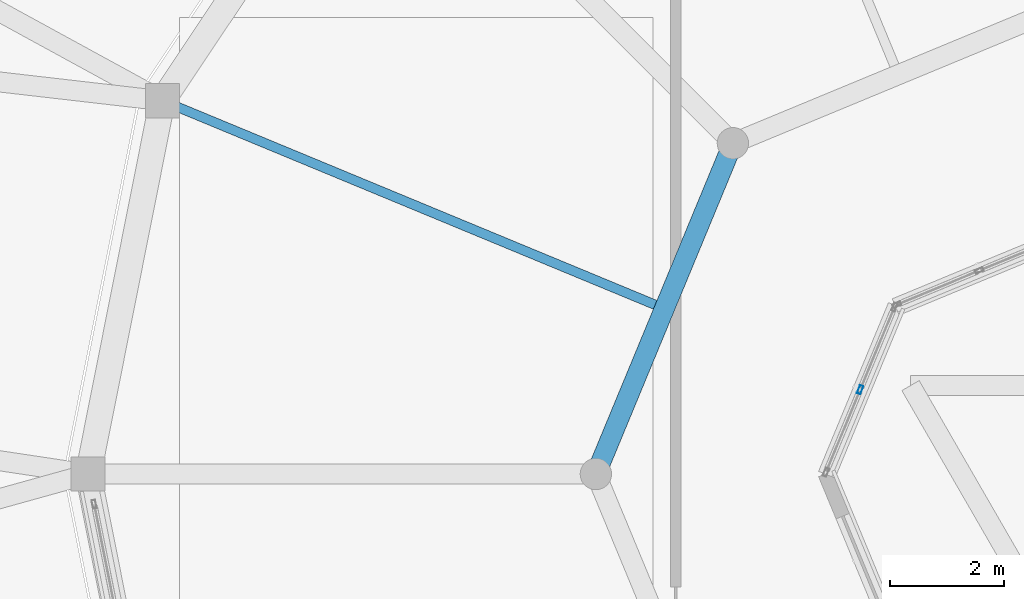
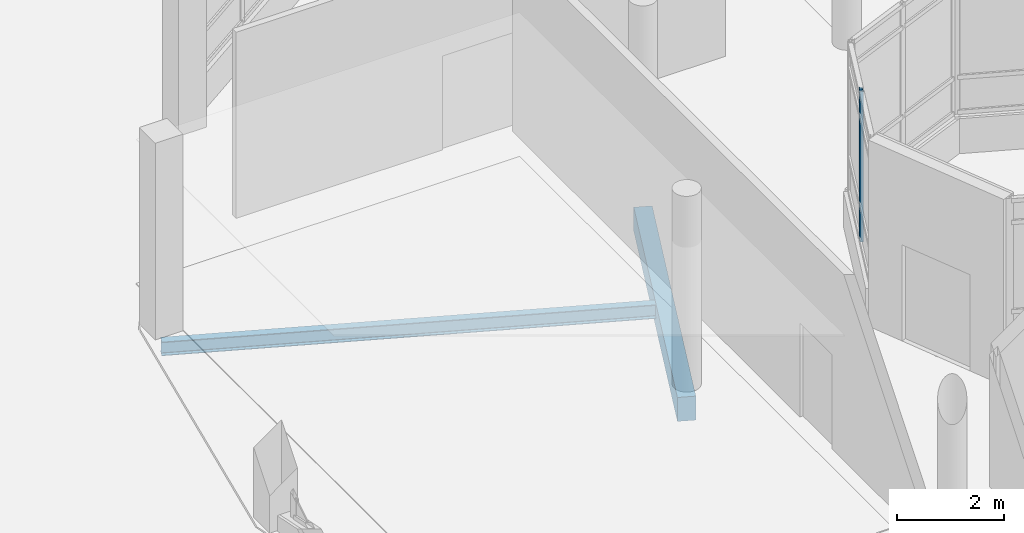
# One storey, part 70 of 129: 2 beams, 1 member, 1 element without a shape of its own.
"""IFC4 building model written with IfcOpenShell, lengths in metres."""

import ifcopenshell
import ifcopenshell.guid

model = None  # the IFC model being written
_history = None  # IfcOwnerHistory: only IFC2X3 demands one
_inside = {}  # id of a spatial element -> (the spatial element, [elements in it])
_under = {}  # id of a project, library or spatial element -> (it, [spatial elements below it])
_declared = {}  # id of a project -> (the project, [libraries it declares])
_typed = {}  # id of a type object -> (the type object, [elements of that type])
_made_of = {}  # id of a material, layer set ... -> (it, [elements and type objects made of it])


def new_model(schema):
    """Start an empty IFC model of exactly this schema.

    Asked for "IFC4X3", IfcOpenShell would pick the latest addendum, in which some entities
    have other attributes; the version numbers below select the first issue.
    IFC2X3 requires an IfcOwnerHistory on every rooted entity: one is made here for all.
    """
    global model, _history
    if schema == "IFC4X3":
        model = ifcopenshell.file(schema_version=(4, 3, 0, 0))
    else:
        model = ifcopenshell.file(schema=schema)
    _inside.clear()
    _under.clear()
    _declared.clear()
    _typed.clear()
    _made_of.clear()
    _history = None
    if model.schema == "IFC2X3":
        org = make("IfcOrganization", Name="unknown")
        user = make(
            "IfcPersonAndOrganization",
            ThePerson=make("IfcPerson", FamilyName="unknown"),
            TheOrganization=org,
        )
        app = make(
            "IfcApplication",
            ApplicationDeveloper=org,
            Version="unknown",
            ApplicationFullName="unknown",
            ApplicationIdentifier="unknown",
        )
        _history = make(
            "IfcOwnerHistory",
            OwningUser=user,
            OwningApplication=app,
            ChangeAction="ADDED",
            CreationDate=0,
        )
    return model


def make(cls, **values):
    """One entity of the class cls with the attributes given. An attribute that is None is left unset."""
    return model.create_entity(
        cls, **{name: value for name, value in values.items() if value is not None}
    )


def rooted(cls, **values):
    """An entity with a GlobalId (a new one), such as an element, a storey or a relation."""
    return make(cls, GlobalId=ifcopenshell.guid.new(), OwnerHistory=_history, **values)


def si_unit(unit_type, name, prefix=None):
    """IfcSIUnit, for example si_unit("LENGTHUNIT", "METRE", prefix="MILLI")."""
    return make("IfcSIUnit", UnitType=unit_type, Prefix=prefix, Name=name)


def assignment(units):
    """IfcUnitAssignment: the units of a project."""
    return None if units is None else make("IfcUnitAssignment", Units=units)


def point(xyz):
    """IfcCartesianPoint."""
    return None if xyz is None else make("IfcCartesianPoint", Coordinates=xyz)


def direction(xyz):
    """IfcDirection."""
    return None if xyz is None else make("IfcDirection", DirectionRatios=xyz)


def frame(location, z_axis=None, x_axis=None):
    """IfcAxis2Placement3D, a coordinate frame: its origin and axes. An axis left out is left unset."""
    return make(
        "IfcAxis2Placement3D",
        Location=point(location),
        Axis=direction(z_axis),
        RefDirection=direction(x_axis),
    )


def frame_2d(location, x_axis=None):
    """IfcAxis2Placement2D, a coordinate frame in the plane: its origin and x axis."""
    return make(
        "IfcAxis2Placement2D", Location=point(location), RefDirection=direction(x_axis)
    )


def origin():
    """The frame at (0, 0, 0) with its axes left unset."""
    return frame((0.0, 0.0, 0.0))


def origin_2d():
    """The frame at (0, 0) in the plane with its x axis left unset."""
    return frame_2d((0.0, 0.0))


def place(relative_to, where):
    """IfcLocalPlacement: puts the frame where relative to a parent placement (None: the world)."""
    return make(
        "IfcLocalPlacement", PlacementRelTo=relative_to, RelativePlacement=where
    )


def context(
    kind, dimensions, precision=None, world=None, true_north=None, identifier=None
):
    """IfcGeometricRepresentationContext, for example the 3D "Model" context."""
    return make(
        "IfcGeometricRepresentationContext",
        ContextIdentifier=identifier,
        ContextType=kind,
        CoordinateSpaceDimension=dimensions,
        Precision=precision,
        WorldCoordinateSystem=world,
        TrueNorth=true_north,
    )


def subcontext(parent, identifier, kind, view, scale=None):
    """IfcGeometricRepresentationSubContext, for example "Body" below "Model"."""
    return make(
        "IfcGeometricRepresentationSubContext",
        ContextIdentifier=identifier,
        ContextType=kind,
        ParentContext=parent,
        TargetScale=scale,
        TargetView=view,
    )


def project(units=None, contexts=None):
    """IfcProject with its units and contexts."""
    return rooted(
        "IfcProject",
        Name="project",
        RepresentationContexts=contexts,
        UnitsInContext=assignment(units),
    )


def spatial(cls, under=None, at=None, **own):
    """A site, building, storey or space (cls), placed at a placement, below another one or the project."""
    s = rooted(cls, ObjectPlacement=at, **own)
    if under is not None:
        _under.setdefault(under.id(), (under, []))[1].append(s)
    return s


def profile(cls, at=None, kind="AREA", **sizes):
    """A parametric profile (cls). Its sizes go by their IFC names, for example OverallWidth=200.0."""
    return make(cls, ProfileType=kind, Position=at, **sizes)


def rectangle(**sizes):
    """IfcRectangleProfileDef."""
    return profile("IfcRectangleProfileDef", **sizes)


def hollow_rectangle(**sizes):
    """IfcRectangleHollowProfileDef."""
    return profile("IfcRectangleHollowProfileDef", **sizes)


def i_section(**sizes):
    """IfcIShapeProfileDef."""
    return profile("IfcIShapeProfileDef", **sizes)


def extrude(swept, where, along, depth):
    """IfcExtrudedAreaSolid: the profile swept, set in the frame where, extruded along a direction by depth."""
    return make(
        "IfcExtrudedAreaSolid",
        SweptArea=swept,
        Position=where,
        ExtrudedDirection=direction(along),
        Depth=depth,
    )


def shape(context_of_items, identifier, shape_type, items):
    """IfcShapeRepresentation: the items that make up one representation, for example the "Body"."""
    return make(
        "IfcShapeRepresentation",
        ContextOfItems=context_of_items,
        RepresentationIdentifier=identifier,
        RepresentationType=shape_type,
        Items=items,
    )


def material(Name=None, Category=None):
    """IfcMaterial."""
    return make("IfcMaterial", Name=Name, Category=Category)


def layer(
    of_material, thickness, ventilated=None, Name=None, Category=None, Priority=None
):
    """IfcMaterialLayer: one layer of a wall or slab, of a material (None: an air gap)."""
    return make(
        "IfcMaterialLayer",
        Material=of_material,
        LayerThickness=thickness,
        IsVentilated=ventilated,
        Name=Name,
        Category=Category,
        Priority=Priority,
    )


def layer_set(layers, Name=None):
    """IfcMaterialLayerSet."""
    return make("IfcMaterialLayerSet", MaterialLayers=layers, LayerSetName=Name)


def material_profile(
    of_material, cross_section, Name=None, Category=None, Priority=None
):
    """IfcMaterialProfile: a cross section and its material."""
    return make(
        "IfcMaterialProfile",
        Name=Name,
        Material=of_material,
        Profile=cross_section,
        Priority=Priority,
        Category=Category,
    )


def profile_set(profiles, Name=None, composite=None):
    """IfcMaterialProfileSet."""
    return make(
        "IfcMaterialProfileSet",
        Name=Name,
        MaterialProfiles=profiles,
        CompositeProfile=composite,
    )


def made_of(thing, what):
    """Note that an element or type object is made of a material, layer set ...; save() writes the relation."""
    if what is not None:
        _made_of.setdefault(what.id(), (what, []))[1].append(thing)
    return thing


def type_object(cls, material=None, **own):
    """A type object (cls), such as IfcWallType, which elements share."""
    return made_of(rooted(cls, **own), material)


def element(
    cls,
    number,
    at=None,
    inside=None,
    cuts=None,
    type_object=None,
    material=None,
    context=None,
    identifier="Body",
    shape_type=None,
    held_by="IfcProductDefinitionShape",
    body=None,
    shapes=None,
    **own,
):
    """One element of the class cls, such as IfcWall. Its Tag is "e" and its number.

    at: its placement. inside: the storey or other place that contains it. cuts: it is an
    opening in that element (IfcRelVoidsElement). A single representation is given by context,
    identifier, shape_type and body (its items); several are given by shapes. held_by: the class
    of the entity that holds the representations. save() writes the other relations.
    """
    e = rooted(cls, Tag="e%d" % number, ObjectPlacement=at, **own)
    if body is not None:
        shapes = [shape(context, identifier, shape_type, body)]
    if shapes is not None:
        e.Representation = make(held_by, Representations=shapes)
    if inside is not None:
        _inside.setdefault(inside.id(), (inside, []))[1].append(e)
    if cuts is not None:
        rooted(
            "IfcRelVoidsElement", RelatingBuildingElement=cuts, RelatedOpeningElement=e
        )
    if type_object is not None:
        _typed.setdefault(type_object.id(), (type_object, []))[1].append(e)
    return made_of(e, material)


def aggregate(whole, parts):
    """IfcRelAggregates: a whole, such as a stair, and the parts it consists of."""
    return rooted("IfcRelAggregates", RelatingObject=whole, RelatedObjects=parts)


def save(model, path):
    """Write the relations noted so far, then the file.

    IfcRelAggregates (storeys below a building ...), IfcRelContainedInSpatialStructure (elements
    in a storey), IfcRelDefinesByType, IfcRelAssociatesMaterial and IfcRelDeclares: one each for
    every whole, place, type object, material and project.
    """
    for whole, parts in _under.values():
        aggregate(whole, parts)
    for where, things in _inside.values():
        rooted(
            "IfcRelContainedInSpatialStructure",
            RelatedElements=things,
            RelatingStructure=where,
        )
    for kind, things in _typed.values():
        rooted("IfcRelDefinesByType", RelatedObjects=things, RelatingType=kind)
    for what, things in _made_of.values():
        rooted("IfcRelAssociatesMaterial", RelatedObjects=things, RelatingMaterial=what)
    for by, libraries in _declared.values():
        rooted("IfcRelDeclares", RelatingContext=by, RelatedDefinitions=libraries)
    model.write(path)


model = new_model("IFC4")

# Units and contexts
model_context = context("Model", 3, precision=1e-05, world=origin(), true_north=direction((0.0, 1.0)))
body_context = subcontext(model_context, "Body", "Model", "MODEL_VIEW")
ifc_project = project(units=[si_unit("LENGTHUNIT", "METRE"), si_unit("AREAUNIT", "SQUARE_METRE"), si_unit("VOLUMEUNIT", "CUBIC_METRE"), si_unit("PLANEANGLEUNIT", "RADIAN"), si_unit("MASSUNIT", "GRAM", prefix="KILO")], contexts=[model_context])

# Site, building, storey
site_placement = place(None, origin())
site = spatial("IfcSite", under=ifc_project, at=site_placement, CompositionType="ELEMENT")
building_placement = place(site_placement, origin())
building = spatial("IfcBuilding", under=site, at=building_placement, Name="Vespera Passage Community Centre", CompositionType="ELEMENT")
storey_placement = place(building_placement, origin())
storey = spatial("IfcBuildingStorey", under=building, at=storey_placement, Name="L00", CompositionType="ELEMENT", Elevation=0.0)

# Beams
ifc_material_1 = material(Name="Concrete f'c 35 MPa", Category="concrete")
ifc_material_profile_1 = material_profile(ifc_material_1, rectangle(XDim=0.35009765625, YDim=0.550048828125, at=origin_2d()), Name="RC350X550")
ifc_profile_set_1 = profile_set([ifc_material_profile_1], Name="Concrete f'c 35 MPa")
beam_type_1 = type_object("IfcBeamType", Name="BM-J-350X550", PredefinedType="JOIST", material=ifc_profile_set_1)
beam_1_placement = place(storey_placement, frame((135.20166015625, 30.79833984375, -0.554931640625), z_axis=(-0.382664436252, -0.92388740073, 0.0), x_axis=(0.92388740073, -0.382664436252, 0.0)))
element("IfcBeam", 1, at=beam_1_placement, inside=storey, type_object=beam_type_1, Name="V3 L00 Inner Ring Beam 4", PredefinedType="JOIST", context=body_context, shape_type="SweptSolid", body=[
    extrude(rectangle(XDim=0.35009765625, YDim=0.550048828125, at=origin_2d()), origin(), (0.0, 0.0, 1.0), 6.276123046875),
])
ifc_material_2 = material(Name="Steel ASTM A992 Grade 50", Category="steel")
ifc_material_profile_2 = material_profile(ifc_material_2, i_section(OverallWidth=0.16650390625, OverallDepth=0.3173828125, WebThickness=0.007568359375, FlangeThickness=0.01318359375, FilletRadius=0.007568359375, at=origin_2d()), Name="W12X35")
ifc_profile_set_2 = profile_set([ifc_material_profile_2], Name="Steel ASTM A992 Grade 50")
beam_type_2 = type_object("IfcBeamType", Name="BM-J-W12X35", PredefinedType="JOIST", material=ifc_profile_set_2)
beam_2_placement = place(storey_placement, frame((134.0009765625, 27.899169921875, -0.438720703125), z_axis=(-0.923880304795, 0.382681567901, 0.0), x_axis=(-0.382681567901, -0.923880304795, 0.0)))
element("IfcBeam", 2, at=beam_2_placement, inside=storey, type_object=beam_type_2, Name="V3 L00 Secondary Joist 4", PredefinedType="JOIST", context=body_context, shape_type="SweptSolid", body=[
    extrude(i_section(OverallWidth=0.16650390625, OverallDepth=0.3173828125, WebThickness=0.007568359375, FlangeThickness=0.01318359375, FilletRadius=0.007568359375, at=origin_2d()), origin(), (0.0, 0.0, 1.0), 9.5244140625),
])

# Curtain wall, member
ifc_material_3 = material(Name="Anodized aluminium 6063-T6", Category="aluminium")
ifc_layer = layer(ifc_material_3, 0.159912109375)
ifc_layer_set = layer_set([ifc_layer], Name="Anodized aluminium 6063-T6")
curtain_wall_type = type_object("IfcCurtainWallType", Name="CW-104E", PredefinedType="NOTDEFINED", material=ifc_layer_set)
curtain_wall_placement = place(storey_placement, origin())
curtain_wall = element("IfcCurtainWall", 3, at=curtain_wall_placement, inside=storey, type_object=curtain_wall_type, Name="V3 L00 Inner Court Ribbon Curtain Wall 4", PredefinedType="NOTDEFINED")
ifc_material_4 = material(Name="Anodized aluminium 6063-T6", Category="aluminium")
ifc_material_profile_3 = material_profile(ifc_material_4, hollow_rectangle(XDim=0.06494140625, YDim=0.14990234375, WallThickness=0.00390625, InnerFilletRadius=0.001953125, OuterFilletRadius=0.00390625, at=origin_2d()), Name="ALU150X65X4")
ifc_profile_set_3 = profile_set([ifc_material_profile_3], Name="Anodized aluminium 6063-T6")
member_type = type_object("IfcMemberType", Name="MB-CWM-150E", PredefinedType="MULLION", material=ifc_profile_set_3)
member_placement = place(storey_placement, frame((137.43212890625, 26.477783203125, 0.800048828125), z_axis=(0.0, 0.0, 1.0), x_axis=(0.923878540804, -0.382685826549, 0.0)))
member = element("IfcMember", 4, at=member_placement, type_object=member_type, Name="CW-104E mullion 2", PredefinedType="MULLION", context=body_context, shape_type="SweptSolid", body=[
    extrude(hollow_rectangle(XDim=0.06494140625, YDim=0.14990234375, WallThickness=0.00390625, InnerFilletRadius=0.001953125, OuterFilletRadius=0.00390625, at=origin_2d()), origin(), (0.0, 0.0, 1.0), 3.43994140625),
])
aggregate(curtain_wall, [member])

save(model, "model.ifc")
